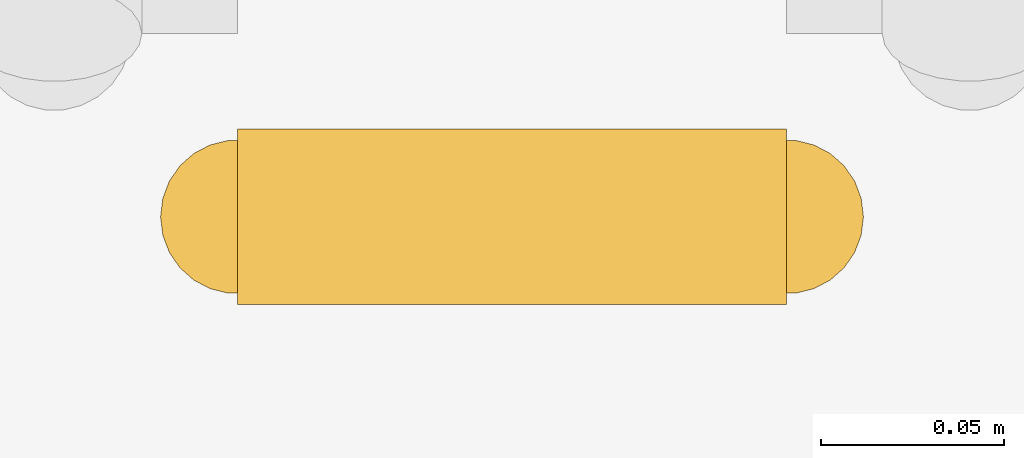
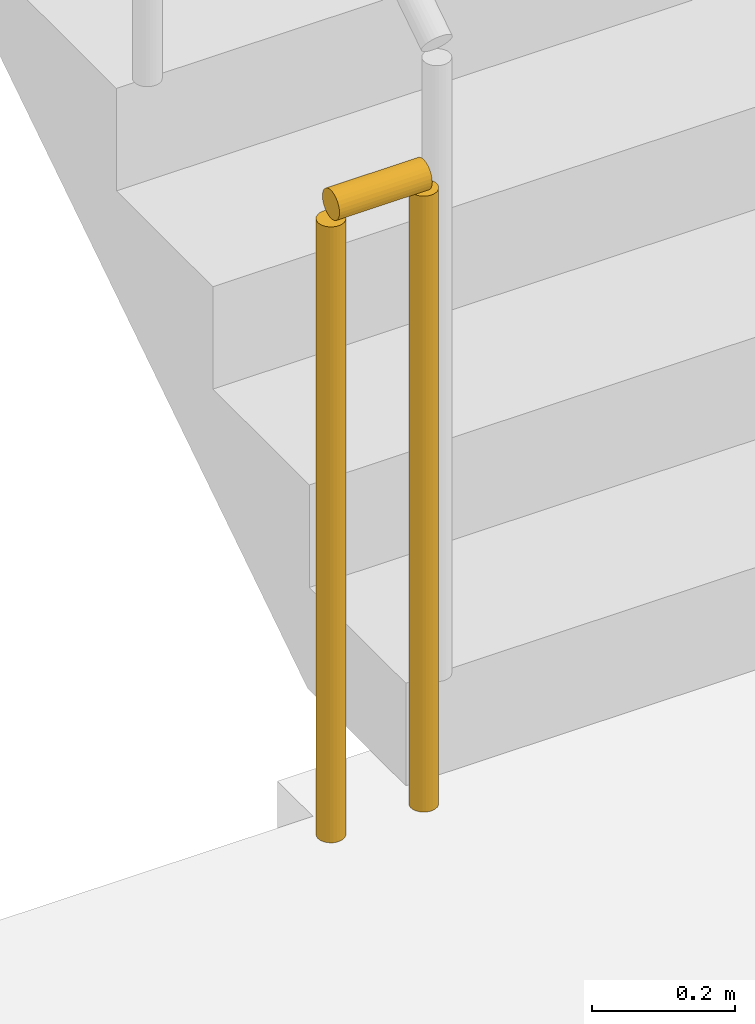
# One storey, part 17 of 20: 1 railing.
"""IFC4 building model written with IfcOpenShell, lengths in metres."""

from ifc_helpers import new_model, si_unit, direction, frame, origin, origin_2d, place, context, subcontext, project, spatial, circle, extrude, material, type_object, element, save


model = new_model("IFC4")

# Units and contexts
model_context = context("Model", 3, precision=1e-05, world=origin(), true_north=direction((0.0, 1.0)))
body_context = subcontext(model_context, "Body", "Model", "MODEL_VIEW")
ifc_project = project(units=[si_unit("LENGTHUNIT", "METRE"), si_unit("AREAUNIT", "SQUARE_METRE"), si_unit("VOLUMEUNIT", "CUBIC_METRE"), si_unit("PLANEANGLEUNIT", "RADIAN"), si_unit("MASSUNIT", "GRAM", prefix="KILO")], contexts=[model_context])

# Site, building, storey
site_placement = place(None, origin())
site = spatial("IfcSite", under=ifc_project, at=site_placement, CompositionType="ELEMENT")
building_placement = place(site_placement, origin())
building = spatial("IfcBuilding", under=site, at=building_placement, Name="Saffron Iwan Residences", CompositionType="ELEMENT")
storey_placement = place(building_placement, frame((0.0, 0.0, 174.5)))
storey = spatial("IfcBuildingStorey", under=building, at=storey_placement, Name="L46", CompositionType="ELEMENT", Elevation=174.5)

# Railing
ifc_material = material(Name="Steel S355", Category="steel")
railing_type = type_object("IfcRailingType", Name="Stair guard 1100", PredefinedType="GUARDRAIL", material=ifc_material)
railing_placement = place(storey_placement, frame((69.699951171875, 67.800048828125, 0.0)))
element("IfcRailing", 1, at=railing_placement, inside=storey, type_object=railing_type, Name="L46 ST-E stair guard 2", PredefinedType="GUARDRAIL", context=body_context, shape_type="SweptSolid", body=[
    extrude(circle(Radius=0.02392578125, at=origin_2d()), frame((0.0, 0.0, 1.076171875), z_axis=(-1.0, 0.0, 0.0), x_axis=(0.0, -1.0, 0.0)), (0.0, 0.0, 1.0), 0.14990234375),
    extrude(circle(Radius=0.02099609375, at=origin_2d()), origin(), (0.0, 0.0, 1.0), 1.052001953125),
    extrude(circle(Radius=0.02099609375, at=origin_2d()), frame((-0.14990234375, 0.0, 0.0)), (0.0, 0.0, 1.0), 1.052001953125),
])

save(model, "model.ifc")
